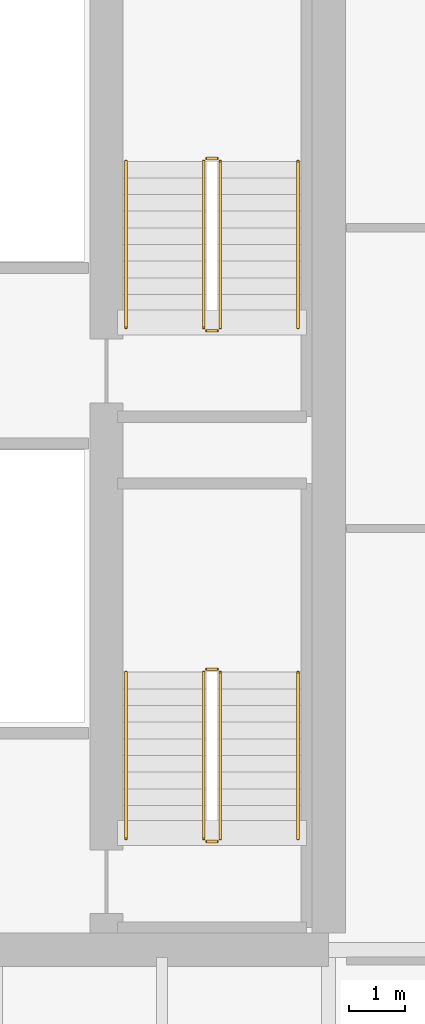
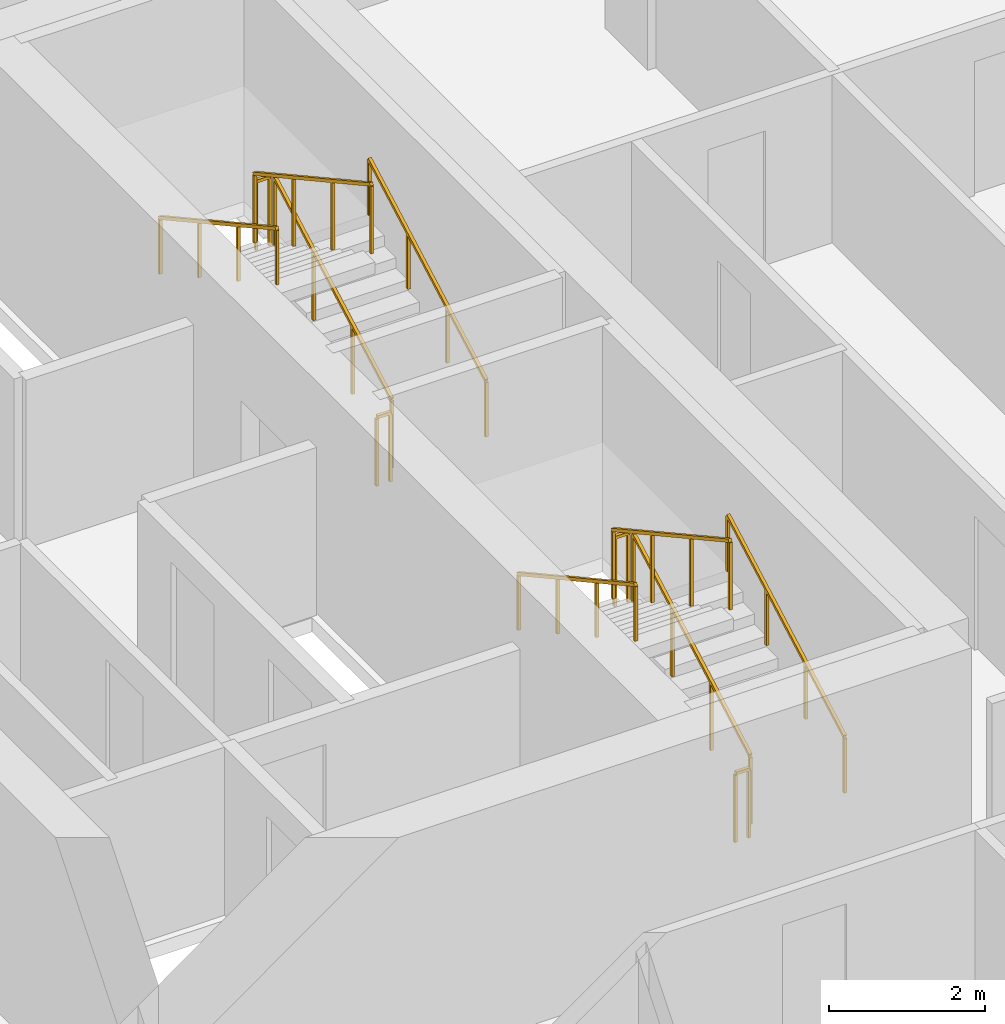
# One storey, part 31 of 32: 12 railings.
"""IFC4 building model written with IfcOpenShell, lengths in metres."""

from ifc_helpers import new_model, si_unit, direction, frame, origin, place, context, subcontext, project, spatial, rectangle, extrude, material, type_object, element, save


model = new_model("IFC4")

# Units and contexts
model_context = context("Model", 3, precision=1e-05, world=origin(), true_north=direction((0.0, 1.0)))
body_context = subcontext(model_context, "Body", "Model", "MODEL_VIEW")
ifc_project = project(units=[si_unit("LENGTHUNIT", "METRE"), si_unit("AREAUNIT", "SQUARE_METRE"), si_unit("VOLUMEUNIT", "CUBIC_METRE"), si_unit("PLANEANGLEUNIT", "RADIAN"), si_unit("MASSUNIT", "GRAM", prefix="KILO")], contexts=[model_context])

# Site, building, storey
site_placement = place(None, origin())
site = spatial("IfcSite", under=ifc_project, at=site_placement, CompositionType="ELEMENT")
building_placement = place(site_placement, origin())
building = spatial("IfcBuilding", under=site, at=building_placement, Name="Tanjung Sevakor Pilgrim Tower", CompositionType="ELEMENT")
storey_placement = place(building_placement, frame((0.0, 0.0, 62.3701171875)))
storey = spatial("IfcBuildingStorey", under=building, at=storey_placement, Name="L17", CompositionType="ELEMENT", Elevation=62.3701171875)

# Railings
ifc_material_1 = material(Name="Steel S355J2", Category="steel")
railing_type_1 = type_object("IfcRailingType", Name="RL-STAIR-GUARD", PredefinedType="GUARDRAIL", material=ifc_material_1)
railing_1_placement = place(storey_placement, frame((88.050048828125, 26.60009765625, 0.164794921875)))
element("IfcRailing", 1, at=railing_1_placement, inside=storey, type_object=railing_type_1, Name="L17 TS-E1 stair guard 1", PredefinedType="GUARDRAIL", context=body_context, shape_type="SweptSolid", body=[
    extrude(rectangle(XDim=0.0479, YDim=0.0479), frame((0.0, 0.0, 1.076171875), z_axis=(0.0, 0.876197842262, 0.481951596342), x_axis=(-1.0, 0.0, 0.0)), (0.0, 0.0, 1.0), 3.423828125),
    extrude(rectangle(XDim=0.042, YDim=0.042), origin(), (0.0, 0.0, 1.0), 1.052001953125),
    extrude(rectangle(XDim=0.042, YDim=0.042), frame((0.0, 1.0, 0.550048828125)), (0.0, 0.0, 1.0), 1.052001953125),
    extrude(rectangle(XDim=0.042, YDim=0.042), frame((0.0, 2.0, 1.10009765625)), (0.0, 0.0, 1.0), 1.052001953125),
    extrude(rectangle(XDim=0.042, YDim=0.042), frame((0.0, 3.0, 1.650146484375)), (0.0, 0.0, 1.0), 1.052001953125),
])
railing_2_placement = place(storey_placement, frame((88.0, 29.64990234375, 1.81494140625)))
element("IfcRailing", 2, at=railing_2_placement, inside=storey, type_object=railing_type_1, Name="L17 TS-E1 stair guard 2", PredefinedType="GUARDRAIL", context=body_context, shape_type="SweptSolid", body=[
    extrude(rectangle(XDim=0.0479, YDim=0.0479), frame((0.0, 0.0, 1.076171875), z_axis=(-1.0, 0.0, 0.0), x_axis=(0.0, -1.0, 0.0)), (0.0, 0.0, 1.0), 0.199951171875),
    extrude(rectangle(XDim=0.042, YDim=0.042), origin(), (0.0, 0.0, 1.0), 1.052001953125),
    extrude(rectangle(XDim=0.042, YDim=0.042), frame((-0.199951171875, 0.0, 0.0)), (0.0, 0.0, 1.0), 1.052001953125),
])
railing_3_placement = place(storey_placement, frame((87.75, 29.60009765625, 1.97998046875)))
element("IfcRailing", 3, at=railing_3_placement, inside=storey, type_object=railing_type_1, Name="L17 TS-E1 stair guard 3", PredefinedType="GUARDRAIL", context=body_context, shape_type="SweptSolid", body=[
    extrude(rectangle(XDim=0.0479, YDim=0.0479), frame((0.0, 0.0, 1.076171875), z_axis=(0.0, -0.876227952683, 0.48189685093), x_axis=(1.0, 0.0, 0.0)), (0.0, 0.0, 1.0), 3.423828125),
    extrude(rectangle(XDim=0.042, YDim=0.042), origin(), (0.0, 0.0, 1.0), 1.052001953125),
    extrude(rectangle(XDim=0.042, YDim=0.042), frame((0.0, -1.0, 0.550048828125)), (0.0, 0.0, 1.0), 1.052001953125),
    extrude(rectangle(XDim=0.042, YDim=0.042), frame((0.0, -2.0, 1.099853515625)), (0.0, 0.0, 1.0), 1.052001953125),
    extrude(rectangle(XDim=0.042, YDim=0.042), frame((0.0, -3.0, 1.64990234375)), (0.0, 0.0, 1.0), 1.052001953125),
])
railing_4_placement = place(storey_placement, frame((88.0, 26.550048828125, 0.0)))
element("IfcRailing", 4, at=railing_4_placement, inside=storey, type_object=railing_type_1, Name="L17 TS-E1 stair guard 4", PredefinedType="GUARDRAIL", context=body_context, shape_type="SweptSolid", body=[
    extrude(rectangle(XDim=0.0479, YDim=0.0479), frame((0.0, 0.0, 1.076171875), z_axis=(-1.0, 0.0, 0.0), x_axis=(0.0, -1.0, 0.0)), (0.0, 0.0, 1.0), 0.199951171875),
    extrude(rectangle(XDim=0.042, YDim=0.042), origin(), (0.0, 0.0, 1.0), 1.052001953125),
    extrude(rectangle(XDim=0.042, YDim=0.042), frame((-0.199951171875, 0.0, 0.0)), (0.0, 0.0, 1.0), 1.052001953125),
])
railing_5_placement = place(storey_placement, frame((88.050048828125, 35.800048828125, 0.164794921875)))
element("IfcRailing", 5, at=railing_5_placement, inside=storey, type_object=railing_type_1, Name="L17 TS-E2 stair guard 1", PredefinedType="GUARDRAIL", context=body_context, shape_type="SweptSolid", body=[
    extrude(rectangle(XDim=0.0479, YDim=0.0479), frame((0.0, 0.0, 1.076171875), z_axis=(0.0, 0.876197842262, 0.481951596342), x_axis=(-1.0, 0.0, 0.0)), (0.0, 0.0, 1.0), 3.423828125),
    extrude(rectangle(XDim=0.042, YDim=0.042), origin(), (0.0, 0.0, 1.0), 1.052001953125),
    extrude(rectangle(XDim=0.042, YDim=0.042), frame((0.0, 1.0, 0.550048828125)), (0.0, 0.0, 1.0), 1.052001953125),
    extrude(rectangle(XDim=0.042, YDim=0.042), frame((0.0, 2.0, 1.10009765625)), (0.0, 0.0, 1.0), 1.052001953125),
    extrude(rectangle(XDim=0.042, YDim=0.042), frame((0.0, 3.0, 1.650146484375)), (0.0, 0.0, 1.0), 1.052001953125),
])
railing_6_placement = place(storey_placement, frame((88.0, 38.85009765625, 1.81494140625)))
element("IfcRailing", 6, at=railing_6_placement, inside=storey, type_object=railing_type_1, Name="L17 TS-E2 stair guard 2", PredefinedType="GUARDRAIL", context=body_context, shape_type="SweptSolid", body=[
    extrude(rectangle(XDim=0.0479, YDim=0.0479), frame((0.0, 0.0, 1.076171875), z_axis=(-1.0, 0.0, 0.0), x_axis=(0.0, -1.0, 0.0)), (0.0, 0.0, 1.0), 0.199951171875),
    extrude(rectangle(XDim=0.042, YDim=0.042), origin(), (0.0, 0.0, 1.0), 1.052001953125),
    extrude(rectangle(XDim=0.042, YDim=0.042), frame((-0.199951171875, 0.0, 0.0)), (0.0, 0.0, 1.0), 1.052001953125),
])
railing_7_placement = place(storey_placement, frame((87.75, 38.800048828125, 1.97998046875)))
element("IfcRailing", 7, at=railing_7_placement, inside=storey, type_object=railing_type_1, Name="L17 TS-E2 stair guard 3", PredefinedType="GUARDRAIL", context=body_context, shape_type="SweptSolid", body=[
    extrude(rectangle(XDim=0.0479, YDim=0.0479), frame((0.0, 0.0, 1.076171875), z_axis=(0.0, -0.876227952683, 0.48189685093), x_axis=(1.0, 0.0, 0.0)), (0.0, 0.0, 1.0), 3.423828125),
    extrude(rectangle(XDim=0.042, YDim=0.042), origin(), (0.0, 0.0, 1.0), 1.052001953125),
    extrude(rectangle(XDim=0.042, YDim=0.042), frame((0.0, -1.0, 0.550048828125)), (0.0, 0.0, 1.0), 1.052001953125),
    extrude(rectangle(XDim=0.042, YDim=0.042), frame((0.0, -2.0, 1.099853515625)), (0.0, 0.0, 1.0), 1.052001953125),
    extrude(rectangle(XDim=0.042, YDim=0.042), frame((0.0, -3.0, 1.64990234375)), (0.0, 0.0, 1.0), 1.052001953125),
])
railing_8_placement = place(storey_placement, frame((88.0, 35.75, 0.0)))
element("IfcRailing", 8, at=railing_8_placement, inside=storey, type_object=railing_type_1, Name="L17 TS-E2 stair guard 4", PredefinedType="GUARDRAIL", context=body_context, shape_type="SweptSolid", body=[
    extrude(rectangle(XDim=0.0479, YDim=0.0479), frame((0.0, 0.0, 1.076171875), z_axis=(-1.0, 0.0, 0.0), x_axis=(0.0, -1.0, 0.0)), (0.0, 0.0, 1.0), 0.199951171875),
    extrude(rectangle(XDim=0.042, YDim=0.042), origin(), (0.0, 0.0, 1.0), 1.052001953125),
    extrude(rectangle(XDim=0.042, YDim=0.042), frame((-0.199951171875, 0.0, 0.0)), (0.0, 0.0, 1.0), 1.052001953125),
])
ifc_material_2 = material(Name="Steel S355J2", Category="steel")
railing_type_2 = type_object("IfcRailingType", Name="RL-STAIR-HAND", PredefinedType="HANDRAIL", material=ifc_material_2)
railing_9_placement = place(storey_placement, frame((89.449951171875, 26.60009765625, 0.164794921875)))
element("IfcRailing", 9, at=railing_9_placement, inside=storey, type_object=railing_type_2, Name="L17 TS-E1 stair handrail 1", PredefinedType="HANDRAIL", context=body_context, shape_type="SweptSolid", body=[
    extrude(rectangle(XDim=0.0479, YDim=0.0479), frame((0.0, 0.0, 0.8759765625), z_axis=(0.0, 0.876197842262, 0.481951596342), x_axis=(-1.0, 0.0, 0.0)), (0.0, 0.0, 1.0), 3.423828125),
    extrude(rectangle(XDim=0.042, YDim=0.042), origin(), (0.0, 0.0, 1.0), 0.851806640625),
    extrude(rectangle(XDim=0.042, YDim=0.042), frame((0.0, 1.0, 0.550048828125)), (0.0, 0.0, 1.0), 0.851806640625),
    extrude(rectangle(XDim=0.042, YDim=0.042), frame((0.0, 2.0, 1.10009765625)), (0.0, 0.0, 1.0), 0.851806640625),
    extrude(rectangle(XDim=0.042, YDim=0.042), frame((0.0, 3.0, 1.650146484375)), (0.0, 0.0, 1.0), 0.851806640625),
])
railing_10_placement = place(storey_placement, frame((86.35009765625, 29.60009765625, 1.97998046875)))
element("IfcRailing", 10, at=railing_10_placement, inside=storey, type_object=railing_type_2, Name="L17 TS-E1 stair handrail 2", PredefinedType="HANDRAIL", context=body_context, shape_type="SweptSolid", body=[
    extrude(rectangle(XDim=0.0479, YDim=0.0479), frame((0.0, 0.0, 0.8759765625), z_axis=(0.0, -0.876227952683, 0.48189685093), x_axis=(1.0, 0.0, 0.0)), (0.0, 0.0, 1.0), 3.423828125),
    extrude(rectangle(XDim=0.042, YDim=0.042), origin(), (0.0, 0.0, 1.0), 0.851806640625),
    extrude(rectangle(XDim=0.042, YDim=0.042), frame((0.0, -1.0, 0.550048828125)), (0.0, 0.0, 1.0), 0.851806640625),
    extrude(rectangle(XDim=0.042, YDim=0.042), frame((0.0, -2.0, 1.099853515625)), (0.0, 0.0, 1.0), 0.851806640625),
    extrude(rectangle(XDim=0.042, YDim=0.042), frame((0.0, -3.0, 1.64990234375)), (0.0, 0.0, 1.0), 0.851806640625),
])
railing_11_placement = place(storey_placement, frame((89.449951171875, 35.800048828125, 0.164794921875)))
element("IfcRailing", 11, at=railing_11_placement, inside=storey, type_object=railing_type_2, Name="L17 TS-E2 stair handrail 1", PredefinedType="HANDRAIL", context=body_context, shape_type="SweptSolid", body=[
    extrude(rectangle(XDim=0.0479, YDim=0.0479), frame((0.0, 0.0, 0.8759765625), z_axis=(0.0, 0.876197842262, 0.481951596342), x_axis=(-1.0, 0.0, 0.0)), (0.0, 0.0, 1.0), 3.423828125),
    extrude(rectangle(XDim=0.042, YDim=0.042), origin(), (0.0, 0.0, 1.0), 0.851806640625),
    extrude(rectangle(XDim=0.042, YDim=0.042), frame((0.0, 1.0, 0.550048828125)), (0.0, 0.0, 1.0), 0.851806640625),
    extrude(rectangle(XDim=0.042, YDim=0.042), frame((0.0, 2.0, 1.10009765625)), (0.0, 0.0, 1.0), 0.851806640625),
    extrude(rectangle(XDim=0.042, YDim=0.042), frame((0.0, 3.0, 1.650146484375)), (0.0, 0.0, 1.0), 0.851806640625),
])
railing_12_placement = place(storey_placement, frame((86.35009765625, 38.800048828125, 1.97998046875)))
element("IfcRailing", 12, at=railing_12_placement, inside=storey, type_object=railing_type_2, Name="L17 TS-E2 stair handrail 2", PredefinedType="HANDRAIL", context=body_context, shape_type="SweptSolid", body=[
    extrude(rectangle(XDim=0.0479, YDim=0.0479), frame((0.0, 0.0, 0.8759765625), z_axis=(0.0, -0.876227952683, 0.48189685093), x_axis=(1.0, 0.0, 0.0)), (0.0, 0.0, 1.0), 3.423828125),
    extrude(rectangle(XDim=0.042, YDim=0.042), origin(), (0.0, 0.0, 1.0), 0.851806640625),
    extrude(rectangle(XDim=0.042, YDim=0.042), frame((0.0, -1.0, 0.550048828125)), (0.0, 0.0, 1.0), 0.851806640625),
    extrude(rectangle(XDim=0.042, YDim=0.042), frame((0.0, -2.0, 1.099853515625)), (0.0, 0.0, 1.0), 0.851806640625),
    extrude(rectangle(XDim=0.042, YDim=0.042), frame((0.0, -3.0, 1.64990234375)), (0.0, 0.0, 1.0), 0.851806640625),
])

save(model, "model.ifc")
